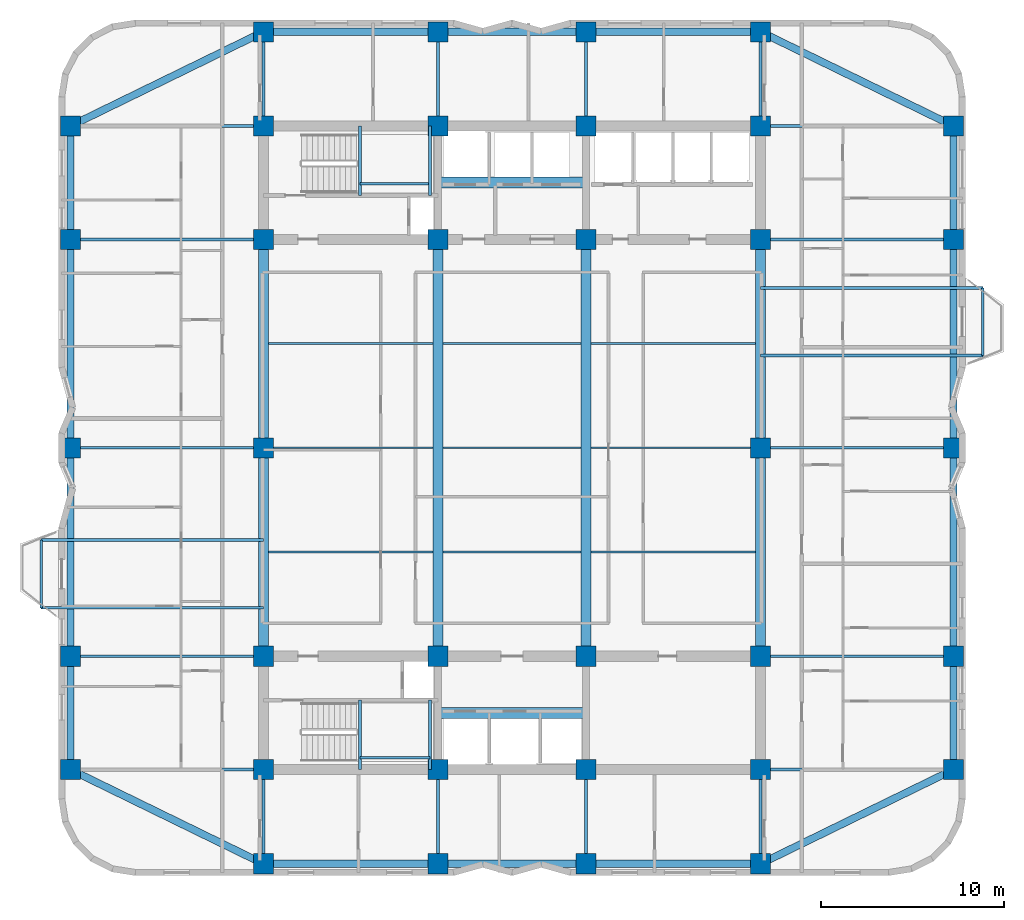
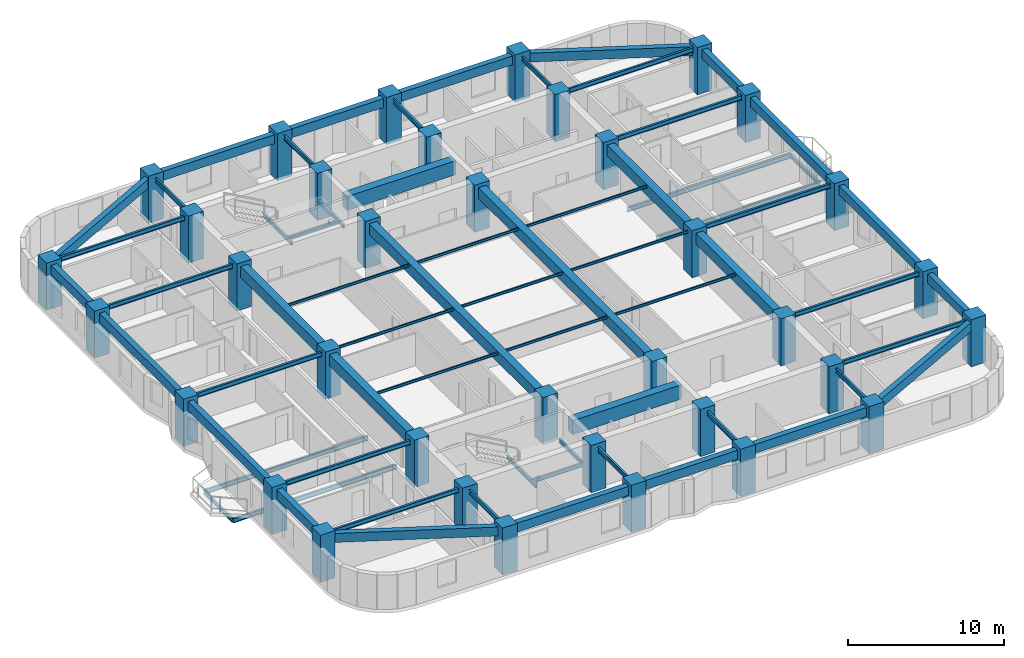
# One storey, part 1 of 9: 65 beams, 36 columns.
"""IFC4 building model written with IfcOpenShell, lengths in metres."""

from ifc_helpers import new_model, si_unit, direction, frame, origin, origin_2d, place, context, subcontext, project, spatial, rectangle, i_section, extrude, material, material_profile, profile_set, type_object, element, save


model = new_model("IFC4")

# Units and contexts
model_context = context("Model", 3, precision=1e-05, world=origin(), true_north=direction((0.0, 1.0)))
body_context = subcontext(model_context, "Body", "Model", "MODEL_VIEW")
ifc_project = project(units=[si_unit("LENGTHUNIT", "METRE"), si_unit("AREAUNIT", "SQUARE_METRE"), si_unit("VOLUMEUNIT", "CUBIC_METRE"), si_unit("PLANEANGLEUNIT", "RADIAN"), si_unit("MASSUNIT", "GRAM", prefix="KILO")], contexts=[model_context])

# Site, building, storey
site_placement = place(None, origin())
site = spatial("IfcSite", under=ifc_project, at=site_placement, CompositionType="ELEMENT")
building_placement = place(site_placement, origin())
building = spatial("IfcBuilding", under=site, at=building_placement, Name="Svetorya Sky Lyceum", CompositionType="ELEMENT")
storey_placement = place(building_placement, frame((0.0, 0.0, 92.0)))
storey = spatial("IfcBuildingStorey", under=building, at=storey_placement, Name="L22", CompositionType="ELEMENT", Elevation=92.0)

# Columns
ifc_material_1 = material(Name="Concrete C50/60", Category="concrete")
ifc_material_profile_1 = material_profile(ifc_material_1, rectangle(XDim=1.10009765625, YDim=1.10009765625, at=origin_2d()), Name="RC COL 1100x1100")
ifc_profile_set_1 = profile_set([ifc_material_profile_1], Name="Concrete C50/60")
column_type = type_object("IfcColumnType", Name="COL-RC-1100", PredefinedType="COLUMN", material=ifc_profile_set_1)
for number, where, z_axis, x_axis, name in (
    (1, (25.60009765625, 10.60009765625, 0.0), (0.0, 0.0, 1.0), (1.0, 0.0, 0.0), "L22 Core Column CS-11"),
    (2, (25.60009765625, 16.800048828125, 0.0), (0.0, 0.0, 1.0), (1.0, 0.0, 0.0), "L22 Core Column CS-12"),
    (3, (35.14990234375, 10.60009765625, 0.0), (0.0, 0.0, 1.0), (1.0, 0.0, 0.0), "L22 Core Column CS-21"),
    (4, (35.14990234375, 16.800048828125, 0.0), (0.0, 0.0, 1.0), (1.0, 0.0, 0.0), "L22 Core Column CS-22"),
    (5, (43.25, 10.60009765625, 0.0), (0.0, 0.0, 1.0), (1.0, 0.0, 0.0), "L22 Core Column CS-31"),
    (6, (43.25, 16.800048828125, 0.0), (0.0, 0.0, 1.0), (1.0, 0.0, 0.0), "L22 Core Column CS-32"),
    (7, (52.800048828125, 10.60009765625, 0.0), (0.0, 0.0, 1.0), (1.0, 0.0, 0.0), "L22 Core Column CS-41"),
    (8, (52.800048828125, 16.800048828125, 0.0), (0.0, 0.0, 1.0), (1.0, 0.0, 0.0), "L22 Core Column CS-42"),
    (9, (25.60009765625, 39.60009765625, 0.0), (0.0, 0.0, 1.0), (1.0, 0.0, 0.0), "L22 Core Column CN-11"),
    (10, (25.60009765625, 45.800048828125, 0.0), (0.0, 0.0, 1.0), (1.0, 0.0, 0.0), "L22 Core Column CN-12"),
    (11, (35.14990234375, 39.60009765625, 0.0), (0.0, 0.0, 1.0), (1.0, 0.0, 0.0), "L22 Core Column CN-21"),
    (12, (35.14990234375, 45.800048828125, 0.0), (0.0, 0.0, 1.0), (1.0, 0.0, 0.0), "L22 Core Column CN-22"),
    (13, (43.25, 39.60009765625, 0.0), (0.0, 0.0, 1.0), (1.0, 0.0, 0.0), "L22 Core Column CN-31"),
    (14, (43.25, 45.800048828125, 0.0), (0.0, 0.0, 1.0), (1.0, 0.0, 0.0), "L22 Core Column CN-32"),
    (15, (52.800048828125, 39.60009765625, 0.0), (0.0, 0.0, 1.0), (1.0, 0.0, 0.0), "L22 Core Column CN-41"),
    (16, (52.800048828125, 45.800048828125, 0.0), (0.0, 0.0, 1.0), (1.0, 0.0, 0.0), "L22 Core Column CN-42"),
    (17, (25.60009765625, 28.199951171875, 0.0), (0.0, 0.0, 1.0), (1.0, 0.0, 0.0), "L22 Core Column CM-W"),
    (18, (52.800048828125, 28.199951171875, 0.0), (0.0, 0.0, 1.0), (1.0, 0.0, 0.0), "L22 Core Column CM-E"),
    (19, (25.60009765625, 5.449951171875, 0.0), (0.0, 0.0, 1.0), (1.0, 0.0, 0.0), "L22 Perimeter Column S1"),
    (20, (25.60009765625, 50.949951171875, 0.0), (0.0, 0.0, 1.0), (1.0, 0.0, 0.0), "L22 Perimeter Column N1"),
    (21, (35.14990234375, 5.449951171875, 0.0), (0.0, 0.0, 1.0), (1.0, 0.0, 0.0), "L22 Perimeter Column S2"),
    (22, (35.14990234375, 50.949951171875, 0.0), (0.0, 0.0, 1.0), (1.0, 0.0, 0.0), "L22 Perimeter Column N2"),
    (23, (43.25, 5.449951171875, 0.0), (0.0, 0.0, 1.0), (1.0, 0.0, 0.0), "L22 Perimeter Column S3"),
    (24, (43.25, 50.949951171875, 0.0), (0.0, 0.0, 1.0), (1.0, 0.0, 0.0), "L22 Perimeter Column N3"),
    (25, (52.800048828125, 5.449951171875, 0.0), (0.0, 0.0, 1.0), (1.0, 0.0, 0.0), "L22 Perimeter Column S4"),
    (26, (52.800048828125, 50.949951171875, 0.0), (0.0, 0.0, 1.0), (1.0, 0.0, 0.0), "L22 Perimeter Column N4"),
    (27, (15.050048828125, 10.60009765625, 0.0), (0.0, 0.0, 1.0), (1.0, 0.0, 0.0), "L22 Perimeter Column W1"),
    (28, (63.35009765625, 10.60009765625, 0.0), (0.0, 0.0, 1.0), (1.0, 0.0, 0.0), "L22 Perimeter Column E1"),
    (29, (15.050048828125, 16.800048828125, 0.0), (0.0, 0.0, 1.0), (1.0, 0.0, 0.0), "L22 Perimeter Column W2"),
    (30, (63.35009765625, 16.800048828125, 0.0), (0.0, 0.0, 1.0), (1.0, 0.0, 0.0), "L22 Perimeter Column E2"),
    (31, (15.050048828125, 28.199951171875, 0.0), (0.0, 0.0, 1.0), (1.0, 0.0, 0.0), "L22 Perimeter Column W3"),
    (32, (63.35009765625, 28.199951171875, 0.0), (0.0, 0.0, 1.0), (1.0, 0.0, 0.0), "L22 Perimeter Column E3"),
    (33, (15.050048828125, 39.60009765625, 0.0), (0.0, 0.0, 1.0), (1.0, 0.0, 0.0), "L22 Perimeter Column W4"),
    (34, (63.35009765625, 39.60009765625, 0.0), (0.0, 0.0, 1.0), (1.0, 0.0, 0.0), "L22 Perimeter Column E4"),
    (35, (15.050048828125, 45.800048828125, 0.0), (0.0, 0.0, 1.0), (1.0, 0.0, 0.0), "L22 Perimeter Column W5"),
    (36, (63.35009765625, 45.800048828125, 0.0), (0.0, 0.0, 1.0), (1.0, 0.0, 0.0), "L22 Perimeter Column E5"),
):
    element("IfcColumn", number, at=place(storey_placement, frame(where, z_axis=z_axis, x_axis=x_axis)), inside=storey, type_object=column_type, Name=name, PredefinedType="COLUMN", context=body_context, shape_type="SweptSolid", body=[
        extrude(rectangle(XDim=1.10009765625, YDim=1.10009765625, at=origin_2d()), origin(), (0.0, 0.0, 1.0), 3.699951171875),
    ])

# Beams
ifc_material_2 = material(Name="Concrete C60/75", Category="concrete")
ifc_material_profile_2 = material_profile(ifc_material_2, rectangle(XDim=0.60009765625, YDim=1.10009765625, at=origin_2d()), Name="RC COUPLING 600x1100")
ifc_profile_set_2 = profile_set([ifc_material_profile_2], Name="Concrete C60/75")
beam_type_1 = type_object("IfcBeamType", Name="BM-CPL-1100", PredefinedType="LINTEL", material=ifc_profile_set_2)
for number, where, z_axis, x_axis, name in (
    (37, (35.14990234375, 13.699951171875, 2.8701171875), (1.0, 0.0, 0.0), (0.0, 1.0, 0.0), "L22 SC Core Coupling Beam"),
    (38, (35.14990234375, 42.699951171875, 2.8701171875), (1.0, 0.0, 0.0), (0.0, 1.0, 0.0), "L22 NC Core Coupling Beam"),
):
    element("IfcBeam", number, at=place(storey_placement, frame(where, z_axis=z_axis, x_axis=x_axis)), inside=storey, type_object=beam_type_1, Name=name, PredefinedType="LINTEL", context=body_context, shape_type="SweptSolid", body=[
        extrude(rectangle(XDim=0.60009765625, YDim=1.10009765625, at=origin_2d()), origin(), (0.0, 0.0, 1.0), 8.10009765625),
    ])
ifc_material_profile_3 = material_profile(ifc_material_1, rectangle(XDim=0.550048828125, YDim=0.85009765625, at=origin_2d()), Name="RC BEAM 550x850")
ifc_profile_set_3 = profile_set([ifc_material_profile_3], Name="Concrete C50/60")
beam_type_2 = type_object("IfcBeamType", Name="BM-RC-850", PredefinedType="BEAM", material=ifc_profile_set_3)
beam_1_placement = place(storey_placement, frame((25.60009765625, 16.800048828125, 2.9951171875), z_axis=(0.0, 1.0, 0.0), x_axis=(-1.0, 0.0, 0.0)))
element("IfcBeam", 39, at=beam_1_placement, inside=storey, type_object=beam_type_2, Name="L22 Central Bay Primary Girder CG-1A", PredefinedType="BEAM", context=body_context, shape_type="SweptSolid", body=[
    extrude(rectangle(XDim=0.550048828125, YDim=0.85009765625, at=origin_2d()), origin(), (0.0, 0.0, 1.0), 11.39990234375),
])
beam_2_placement = place(storey_placement, frame((25.60009765625, 28.199951171875, 2.9951171875), z_axis=(0.0, 1.0, 0.0), x_axis=(-1.0, 0.0, 0.0)))
element("IfcBeam", 40, at=beam_2_placement, inside=storey, type_object=beam_type_2, Name="L22 Central Bay Primary Girder CG-1B", PredefinedType="BEAM", context=body_context, shape_type="SweptSolid", body=[
    extrude(rectangle(XDim=0.550048828125, YDim=0.85009765625, at=origin_2d()), origin(), (0.0, 0.0, 1.0), 11.400146484375),
])
for number, where, z_axis, x_axis, name in (
    (41, (35.14990234375, 16.800048828125, 2.9951171875), (0.0, 1.0, 0.0), (-1.0, 0.0, 0.0), "L22 Central Bay Primary Girder CG-2"),
    (42, (43.25, 16.800048828125, 2.9951171875), (0.0, 1.0, 0.0), (-1.0, 0.0, 0.0), "L22 Central Bay Primary Girder CG-3"),
):
    element("IfcBeam", number, at=place(storey_placement, frame(where, z_axis=z_axis, x_axis=x_axis)), inside=storey, type_object=beam_type_2, Name=name, PredefinedType="BEAM", context=body_context, shape_type="SweptSolid", body=[
        extrude(rectangle(XDim=0.550048828125, YDim=0.85009765625, at=origin_2d()), origin(), (0.0, 0.0, 1.0), 22.800048828125),
    ])
beam_3_placement = place(storey_placement, frame((52.800048828125, 16.800048828125, 2.9951171875), z_axis=(0.0, 1.0, 0.0), x_axis=(-1.0, 0.0, 0.0)))
element("IfcBeam", 43, at=beam_3_placement, inside=storey, type_object=beam_type_2, Name="L22 Central Bay Primary Girder CG-4A", PredefinedType="BEAM", context=body_context, shape_type="SweptSolid", body=[
    extrude(rectangle(XDim=0.550048828125, YDim=0.85009765625, at=origin_2d()), origin(), (0.0, 0.0, 1.0), 11.39990234375),
])
beam_4_placement = place(storey_placement, frame((52.800048828125, 28.199951171875, 2.9951171875), z_axis=(0.0, 1.0, 0.0), x_axis=(-1.0, 0.0, 0.0)))
element("IfcBeam", 44, at=beam_4_placement, inside=storey, type_object=beam_type_2, Name="L22 Central Bay Primary Girder CG-4B", PredefinedType="BEAM", context=body_context, shape_type="SweptSolid", body=[
    extrude(rectangle(XDim=0.550048828125, YDim=0.85009765625, at=origin_2d()), origin(), (0.0, 0.0, 1.0), 11.400146484375),
])
ifc_material_profile_4 = material_profile(ifc_material_1, rectangle(XDim=0.39990234375, YDim=0.699951171875, at=origin_2d()), Name="RC SPANDREL 400x700")
ifc_profile_set_4 = profile_set([ifc_material_profile_4], Name="Concrete C50/60")
beam_type_3 = type_object("IfcBeamType", Name="BM-SPN-700", PredefinedType="SPANDREL", material=ifc_profile_set_4)
beam_5_placement = place(storey_placement, frame((25.60009765625, 5.449951171875, 3.070068359375), z_axis=(1.0, 0.0, 0.0), x_axis=(0.0, 1.0, 0.0)))
element("IfcBeam", 45, at=beam_5_placement, inside=storey, type_object=beam_type_3, Name="L22 South Spandrel 1", PredefinedType="SPANDREL", context=body_context, shape_type="SweptSolid", body=[
    extrude(rectangle(XDim=0.39990234375, YDim=0.699951171875, at=origin_2d()), origin(), (0.0, 0.0, 1.0), 9.5498046875),
])
beam_6_placement = place(storey_placement, frame((35.14990234375, 5.449951171875, 3.070068359375), z_axis=(1.0, 0.0, 0.0), x_axis=(0.0, 1.0, 0.0)))
element("IfcBeam", 46, at=beam_6_placement, inside=storey, type_object=beam_type_3, Name="L22 South Spandrel 2", PredefinedType="SPANDREL", context=body_context, shape_type="SweptSolid", body=[
    extrude(rectangle(XDim=0.39990234375, YDim=0.699951171875, at=origin_2d()), origin(), (0.0, 0.0, 1.0), 8.10009765625),
])
beam_7_placement = place(storey_placement, frame((43.25, 5.449951171875, 3.070068359375), z_axis=(1.0, 0.0, 0.0), x_axis=(0.0, 1.0, 0.0)))
element("IfcBeam", 47, at=beam_7_placement, inside=storey, type_object=beam_type_3, Name="L22 South Spandrel 3", PredefinedType="SPANDREL", context=body_context, shape_type="SweptSolid", body=[
    extrude(rectangle(XDim=0.39990234375, YDim=0.699951171875, at=origin_2d()), origin(), (0.0, 0.0, 1.0), 9.550048828125),
])
beam_8_placement = place(storey_placement, frame((25.60009765625, 50.949951171875, 3.070068359375), z_axis=(1.0, 0.0, 0.0), x_axis=(0.0, 1.0, 0.0)))
element("IfcBeam", 48, at=beam_8_placement, inside=storey, type_object=beam_type_3, Name="L22 North Spandrel 1", PredefinedType="SPANDREL", context=body_context, shape_type="SweptSolid", body=[
    extrude(rectangle(XDim=0.39990234375, YDim=0.699951171875, at=origin_2d()), origin(), (0.0, 0.0, 1.0), 9.5498046875),
])
beam_9_placement = place(storey_placement, frame((35.14990234375, 50.949951171875, 3.070068359375), z_axis=(1.0, 0.0, 0.0), x_axis=(0.0, 1.0, 0.0)))
element("IfcBeam", 49, at=beam_9_placement, inside=storey, type_object=beam_type_3, Name="L22 North Spandrel 2", PredefinedType="SPANDREL", context=body_context, shape_type="SweptSolid", body=[
    extrude(rectangle(XDim=0.39990234375, YDim=0.699951171875, at=origin_2d()), origin(), (0.0, 0.0, 1.0), 8.10009765625),
])
beam_10_placement = place(storey_placement, frame((43.25, 50.949951171875, 3.070068359375), z_axis=(1.0, 0.0, 0.0), x_axis=(0.0, 1.0, 0.0)))
element("IfcBeam", 50, at=beam_10_placement, inside=storey, type_object=beam_type_3, Name="L22 North Spandrel 3", PredefinedType="SPANDREL", context=body_context, shape_type="SweptSolid", body=[
    extrude(rectangle(XDim=0.39990234375, YDim=0.699951171875, at=origin_2d()), origin(), (0.0, 0.0, 1.0), 9.550048828125),
])
for number, where, z_axis, x_axis, name in (
    (51, (25.60009765625, 5.449951171875, 3.070068359375), (-0.898641495694, 0.438683783854, 0.0), (-0.438683783854, -0.898641495694, 0.0), "L22 Corner Spandrel 1"),
    (52, (52.800048828125, 5.449951171875, 3.070068359375), (0.898641495694, 0.438683783854, 0.0), (-0.438683783854, 0.898641495694, 0.0), "L22 Corner Spandrel 2"),
    (53, (63.35009765625, 45.800048828125, 3.070068359375), (-0.898649693653, 0.438666989978, 0.0), (-0.438666989978, -0.898649693653, 0.0), "L22 Corner Spandrel 3"),
    (54, (15.050048828125, 45.800048828125, 3.070068359375), (0.898649693653, 0.438666989978, 0.0), (-0.438666989978, 0.898649693653, 0.0), "L22 Corner Spandrel 4"),
):
    element("IfcBeam", number, at=place(storey_placement, frame(where, z_axis=z_axis, x_axis=x_axis)), inside=storey, type_object=beam_type_3, Name=name, PredefinedType="SPANDREL", context=body_context, shape_type="SweptSolid", body=[
        extrude(rectangle(XDim=0.39990234375, YDim=0.699951171875, at=origin_2d()), origin(), (0.0, 0.0, 1.0), 11.739990234375),
    ])
beam_11_placement = place(storey_placement, frame((15.050048828125, 10.60009765625, 3.070068359375), z_axis=(0.0, 1.0, 0.0), x_axis=(-1.0, 0.0, 0.0)))
element("IfcBeam", 55, at=beam_11_placement, inside=storey, type_object=beam_type_3, Name="L22 West Spandrel 1", PredefinedType="SPANDREL", context=body_context, shape_type="SweptSolid", body=[
    extrude(rectangle(XDim=0.39990234375, YDim=0.699951171875, at=origin_2d()), origin(), (0.0, 0.0, 1.0), 6.199951171875),
])
beam_12_placement = place(storey_placement, frame((15.050048828125, 16.800048828125, 3.070068359375), z_axis=(0.0, 1.0, 0.0), x_axis=(-1.0, 0.0, 0.0)))
element("IfcBeam", 56, at=beam_12_placement, inside=storey, type_object=beam_type_3, Name="L22 West Spandrel 2", PredefinedType="SPANDREL", context=body_context, shape_type="SweptSolid", body=[
    extrude(rectangle(XDim=0.39990234375, YDim=0.699951171875, at=origin_2d()), origin(), (0.0, 0.0, 1.0), 11.39990234375),
])
beam_13_placement = place(storey_placement, frame((15.050048828125, 28.199951171875, 3.070068359375), z_axis=(0.0, 1.0, 0.0), x_axis=(-1.0, 0.0, 0.0)))
element("IfcBeam", 57, at=beam_13_placement, inside=storey, type_object=beam_type_3, Name="L22 West Spandrel 3", PredefinedType="SPANDREL", context=body_context, shape_type="SweptSolid", body=[
    extrude(rectangle(XDim=0.39990234375, YDim=0.699951171875, at=origin_2d()), origin(), (0.0, 0.0, 1.0), 11.400146484375),
])
for number, where, z_axis, x_axis, name in (
    (58, (15.050048828125, 39.60009765625, 3.070068359375), (0.0, 1.0, 0.0), (-1.0, 0.0, 0.0), "L22 West Spandrel 4"),
    (59, (63.35009765625, 10.60009765625, 3.070068359375), (0.0, 1.0, 0.0), (-1.0, 0.0, 0.0), "L22 East Spandrel 1"),
):
    element("IfcBeam", number, at=place(storey_placement, frame(where, z_axis=z_axis, x_axis=x_axis)), inside=storey, type_object=beam_type_3, Name=name, PredefinedType="SPANDREL", context=body_context, shape_type="SweptSolid", body=[
        extrude(rectangle(XDim=0.39990234375, YDim=0.699951171875, at=origin_2d()), origin(), (0.0, 0.0, 1.0), 6.199951171875),
    ])
beam_14_placement = place(storey_placement, frame((63.35009765625, 16.800048828125, 3.070068359375), z_axis=(0.0, 1.0, 0.0), x_axis=(-1.0, 0.0, 0.0)))
element("IfcBeam", 60, at=beam_14_placement, inside=storey, type_object=beam_type_3, Name="L22 East Spandrel 2", PredefinedType="SPANDREL", context=body_context, shape_type="SweptSolid", body=[
    extrude(rectangle(XDim=0.39990234375, YDim=0.699951171875, at=origin_2d()), origin(), (0.0, 0.0, 1.0), 11.39990234375),
])
beam_15_placement = place(storey_placement, frame((63.35009765625, 28.199951171875, 3.070068359375), z_axis=(0.0, 1.0, 0.0), x_axis=(-1.0, 0.0, 0.0)))
element("IfcBeam", 61, at=beam_15_placement, inside=storey, type_object=beam_type_3, Name="L22 East Spandrel 3", PredefinedType="SPANDREL", context=body_context, shape_type="SweptSolid", body=[
    extrude(rectangle(XDim=0.39990234375, YDim=0.699951171875, at=origin_2d()), origin(), (0.0, 0.0, 1.0), 11.400146484375),
])
beam_16_placement = place(storey_placement, frame((63.35009765625, 39.60009765625, 3.070068359375), z_axis=(0.0, 1.0, 0.0), x_axis=(-1.0, 0.0, 0.0)))
element("IfcBeam", 62, at=beam_16_placement, inside=storey, type_object=beam_type_3, Name="L22 East Spandrel 4", PredefinedType="SPANDREL", context=body_context, shape_type="SweptSolid", body=[
    extrude(rectangle(XDim=0.39990234375, YDim=0.699951171875, at=origin_2d()), origin(), (0.0, 0.0, 1.0), 6.199951171875),
])
ifc_material_3 = material(Name="Steel S355", Category="steel")
ifc_material_profile_5 = material_profile(ifc_material_3, i_section(OverallWidth=0.10009765625, OverallDepth=0.199951171875, WebThickness=0.005615234375, FlangeThickness=0.008544921875, at=origin_2d()), Name="GOST 20B1")
ifc_profile_set_5 = profile_set([ifc_material_profile_5], Name="Steel S355")
beam_type_4 = type_object("IfcBeamType", Name="BM-STL-20B1", PredefinedType="JOIST", material=ifc_profile_set_5)
beam_17_placement = place(storey_placement, frame((25.875, 22.5, 3.320068359375), z_axis=(1.0, 0.0, 0.0), x_axis=(0.0, 1.0, 0.0)))
element("IfcBeam", 63, at=beam_17_placement, inside=storey, type_object=beam_type_4, Name="L22 Central Floor Joist CJ-1.1", PredefinedType="JOIST", context=body_context, shape_type="SweptSolid", body=[
    extrude(i_section(OverallWidth=0.10009765625, OverallDepth=0.199951171875, WebThickness=0.005615234375, FlangeThickness=0.008544921875, at=origin_2d()), origin(), (0.0, 0.0, 1.0), 9.0),
])
beam_18_placement = place(storey_placement, frame((35.425048828125, 22.5, 3.320068359375), z_axis=(1.0, 0.0, 0.0), x_axis=(0.0, 1.0, 0.0)))
element("IfcBeam", 64, at=beam_18_placement, inside=storey, type_object=beam_type_4, Name="L22 Central Floor Joist CJ-1.2", PredefinedType="JOIST", context=body_context, shape_type="SweptSolid", body=[
    extrude(i_section(OverallWidth=0.10009765625, OverallDepth=0.199951171875, WebThickness=0.005615234375, FlangeThickness=0.008544921875, at=origin_2d()), origin(), (0.0, 0.0, 1.0), 7.550048828125),
])
for number, where, z_axis, x_axis, name in (
    (65, (43.52490234375, 22.5, 3.320068359375), (1.0, 0.0, 0.0), (0.0, 1.0, 0.0), "L22 Central Floor Joist CJ-1.3"),
    (66, (25.875, 28.199951171875, 3.320068359375), (1.0, 0.0, 0.0), (0.0, 1.0, 0.0), "L22 Central Floor Joist CJ-2.1"),
):
    element("IfcBeam", number, at=place(storey_placement, frame(where, z_axis=z_axis, x_axis=x_axis)), inside=storey, type_object=beam_type_4, Name=name, PredefinedType="JOIST", context=body_context, shape_type="SweptSolid", body=[
        extrude(i_section(OverallWidth=0.10009765625, OverallDepth=0.199951171875, WebThickness=0.005615234375, FlangeThickness=0.008544921875, at=origin_2d()), origin(), (0.0, 0.0, 1.0), 9.0),
    ])
beam_19_placement = place(storey_placement, frame((35.425048828125, 28.199951171875, 3.320068359375), z_axis=(1.0, 0.0, 0.0), x_axis=(0.0, 1.0, 0.0)))
element("IfcBeam", 67, at=beam_19_placement, inside=storey, type_object=beam_type_4, Name="L22 Central Floor Joist CJ-2.2", PredefinedType="JOIST", context=body_context, shape_type="SweptSolid", body=[
    extrude(i_section(OverallWidth=0.10009765625, OverallDepth=0.199951171875, WebThickness=0.005615234375, FlangeThickness=0.008544921875, at=origin_2d()), origin(), (0.0, 0.0, 1.0), 7.550048828125),
])
for number, where, z_axis, x_axis, name in (
    (68, (43.52490234375, 28.199951171875, 3.320068359375), (1.0, 0.0, 0.0), (0.0, 1.0, 0.0), "L22 Central Floor Joist CJ-2.3"),
    (69, (25.875, 33.89990234375, 3.320068359375), (1.0, 0.0, 0.0), (0.0, 1.0, 0.0), "L22 Central Floor Joist CJ-3.1"),
):
    element("IfcBeam", number, at=place(storey_placement, frame(where, z_axis=z_axis, x_axis=x_axis)), inside=storey, type_object=beam_type_4, Name=name, PredefinedType="JOIST", context=body_context, shape_type="SweptSolid", body=[
        extrude(i_section(OverallWidth=0.10009765625, OverallDepth=0.199951171875, WebThickness=0.005615234375, FlangeThickness=0.008544921875, at=origin_2d()), origin(), (0.0, 0.0, 1.0), 9.0),
    ])
beam_20_placement = place(storey_placement, frame((35.425048828125, 33.89990234375, 3.320068359375), z_axis=(1.0, 0.0, 0.0), x_axis=(0.0, 1.0, 0.0)))
element("IfcBeam", 70, at=beam_20_placement, inside=storey, type_object=beam_type_4, Name="L22 Central Floor Joist CJ-3.2", PredefinedType="JOIST", context=body_context, shape_type="SweptSolid", body=[
    extrude(i_section(OverallWidth=0.10009765625, OverallDepth=0.199951171875, WebThickness=0.005615234375, FlangeThickness=0.008544921875, at=origin_2d()), origin(), (0.0, 0.0, 1.0), 7.550048828125),
])
beam_21_placement = place(storey_placement, frame((43.52490234375, 33.89990234375, 3.320068359375), z_axis=(1.0, 0.0, 0.0), x_axis=(0.0, 1.0, 0.0)))
element("IfcBeam", 71, at=beam_21_placement, inside=storey, type_object=beam_type_4, Name="L22 Central Floor Joist CJ-3.3", PredefinedType="JOIST", context=body_context, shape_type="SweptSolid", body=[
    extrude(i_section(OverallWidth=0.10009765625, OverallDepth=0.199951171875, WebThickness=0.005615234375, FlangeThickness=0.008544921875, at=origin_2d()), origin(), (0.0, 0.0, 1.0), 9.0),
])
ifc_material_profile_6 = material_profile(ifc_material_3, i_section(OverallWidth=0.14990234375, OverallDepth=0.299072265625, WebThickness=0.006591796875, FlangeThickness=0.010498046875, at=origin_2d()), Name="GOST 30B2")
ifc_profile_set_6 = profile_set([ifc_material_profile_6], Name="Steel S355")
beam_type_5 = type_object("IfcBeamType", Name="BM-STL-30B2", PredefinedType="JOIST", material=ifc_profile_set_6)
for number, where, z_axis, x_axis, name in (
    (72, (13.449951171875, 19.449951171875, -0.45458984375), (0.0, 1.0, 0.0), (-1.0, 0.0, 0.0), "L22 Balcony Edge Tie BAL-W1"),
    (73, (64.949951171875, 33.25, -0.45458984375), (0.0, 1.0, 0.0), (-1.0, 0.0, 0.0), "L22 Balcony Edge Tie BAL-E1"),
):
    element("IfcBeam", number, at=place(storey_placement, frame(where, z_axis=z_axis, x_axis=x_axis)), inside=storey, type_object=beam_type_5, Name=name, PredefinedType="JOIST", context=body_context, shape_type="SweptSolid", body=[
        extrude(i_section(OverallWidth=0.14990234375, OverallDepth=0.299072265625, WebThickness=0.006591796875, FlangeThickness=0.010498046875, at=origin_2d()), origin(), (0.0, 0.0, 1.0), 3.699951171875),
    ])
for number, where, z_axis, x_axis, name in (
    (74, (30.8798828125, 10.60009765625, 1.50048828125), (0.0, 1.0, 0.0), (-1.0, 0.0, 0.0), "L22 Stair ST-S Half-Landing Support Beam 26.1"),
    (75, (34.719970703125, 10.60009765625, 1.50048828125), (0.0, 1.0, 0.0), (-1.0, 0.0, 0.0), "L22 Stair ST-S Half-Landing Support Beam 26.2"),
):
    element("IfcBeam", number, at=place(storey_placement, frame(where, z_axis=z_axis, x_axis=x_axis)), inside=storey, type_object=beam_type_5, Name=name, PredefinedType="JOIST", context=body_context, shape_type="SweptSolid", body=[
        extrude(i_section(OverallWidth=0.14990234375, OverallDepth=0.299072265625, WebThickness=0.006591796875, FlangeThickness=0.010498046875, at=origin_2d()), origin(), (0.0, 0.0, 1.0), 3.7998046875),
    ])
beam_22_placement = place(storey_placement, frame((30.8798828125, 11.25, 1.50048828125), z_axis=(1.0, 0.0, 0.0), x_axis=(0.0, 1.0, 0.0)))
element("IfcBeam", 76, at=beam_22_placement, inside=storey, type_object=beam_type_5, Name="L22 Stair ST-S Half-Landing Cross Tie 26", PredefinedType="JOIST", context=body_context, shape_type="SweptSolid", body=[
    extrude(i_section(OverallWidth=0.14990234375, OverallDepth=0.299072265625, WebThickness=0.006591796875, FlangeThickness=0.010498046875, at=origin_2d()), origin(), (0.0, 0.0, 1.0), 3.840087890625),
])
for number, where, z_axis, x_axis, name in (
    (77, (30.8798828125, 42.0, 1.50048828125), (0.0, 1.0, 0.0), (-1.0, 0.0, 0.0), "L22 Stair ST-N Half-Landing Support Beam 26.1"),
    (78, (34.719970703125, 42.0, 1.50048828125), (0.0, 1.0, 0.0), (-1.0, 0.0, 0.0), "L22 Stair ST-N Half-Landing Support Beam 26.2"),
):
    element("IfcBeam", number, at=place(storey_placement, frame(where, z_axis=z_axis, x_axis=x_axis)), inside=storey, type_object=beam_type_5, Name=name, PredefinedType="JOIST", context=body_context, shape_type="SweptSolid", body=[
        extrude(i_section(OverallWidth=0.14990234375, OverallDepth=0.299072265625, WebThickness=0.006591796875, FlangeThickness=0.010498046875, at=origin_2d()), origin(), (0.0, 0.0, 1.0), 3.800048828125),
    ])
beam_23_placement = place(storey_placement, frame((30.8798828125, 42.64990234375, 1.50048828125), z_axis=(1.0, 0.0, 0.0), x_axis=(0.0, 1.0, 0.0)))
element("IfcBeam", 79, at=beam_23_placement, inside=storey, type_object=beam_type_5, Name="L22 Stair ST-N Half-Landing Cross Tie 26", PredefinedType="JOIST", context=body_context, shape_type="SweptSolid", body=[
    extrude(i_section(OverallWidth=0.14990234375, OverallDepth=0.299072265625, WebThickness=0.006591796875, FlangeThickness=0.010498046875, at=origin_2d()), origin(), (0.0, 0.0, 1.0), 3.840087890625),
])
ifc_material_profile_7 = material_profile(ifc_material_3, i_section(OverallWidth=0.155029296875, OverallDepth=0.34912109375, WebThickness=0.007080078125, FlangeThickness=0.011474609375, at=origin_2d()), Name="GOST 35B2")
ifc_profile_set_7 = profile_set([ifc_material_profile_7], Name="Steel S355")
beam_type_6 = type_object("IfcBeamType", Name="BM-STL-35B2", PredefinedType="JOIST", material=ifc_profile_set_7)
for number, where, z_axis, x_axis, name in (
    (80, (25.60009765625, 19.449951171875, -0.45458984375), (-1.0, 0.0, 0.0), (0.0, -1.0, 0.0), "L22 Balcony Cantilever Beam BAL-W1-1"),
    (81, (25.60009765625, 23.14990234375, -0.45458984375), (-1.0, 0.0, 0.0), (0.0, -1.0, 0.0), "L22 Balcony Cantilever Beam BAL-W1-2"),
):
    element("IfcBeam", number, at=place(storey_placement, frame(where, z_axis=z_axis, x_axis=x_axis)), inside=storey, type_object=beam_type_6, Name=name, PredefinedType="JOIST", context=body_context, shape_type="SweptSolid", body=[
        extrude(i_section(OverallWidth=0.155029296875, OverallDepth=0.34912109375, WebThickness=0.007080078125, FlangeThickness=0.011474609375, at=origin_2d()), origin(), (0.0, 0.0, 1.0), 12.150146484375),
    ])
for number, where, z_axis, x_axis, name in (
    (82, (52.800048828125, 33.25, -0.45458984375), (1.0, 0.0, 0.0), (0.0, 1.0, 0.0), "L22 Balcony Cantilever Beam BAL-E1-1"),
    (83, (52.800048828125, 36.949951171875, -0.45458984375), (1.0, 0.0, 0.0), (0.0, 1.0, 0.0), "L22 Balcony Cantilever Beam BAL-E1-2"),
):
    element("IfcBeam", number, at=place(storey_placement, frame(where, z_axis=z_axis, x_axis=x_axis)), inside=storey, type_object=beam_type_6, Name=name, PredefinedType="JOIST", context=body_context, shape_type="SweptSolid", body=[
        extrude(i_section(OverallWidth=0.155029296875, OverallDepth=0.34912109375, WebThickness=0.007080078125, FlangeThickness=0.011474609375, at=origin_2d()), origin(), (0.0, 0.0, 1.0), 12.14990234375),
    ])
for number, where, z_axis, x_axis, name in (
    (84, (15.050048828125, 10.60009765625, 3.24560546875), (1.0, 0.0, 0.0), (0.0, 1.0, 0.0), "L22 West Wing Floor Joist W1"),
    (85, (52.800048828125, 10.60009765625, 3.24560546875), (1.0, 0.0, 0.0), (0.0, 1.0, 0.0), "L22 East Wing Floor Joist E1"),
    (86, (15.050048828125, 16.800048828125, 3.24560546875), (1.0, 0.0, 0.0), (0.0, 1.0, 0.0), "L22 West Wing Floor Joist W2"),
    (87, (52.800048828125, 16.800048828125, 3.24560546875), (1.0, 0.0, 0.0), (0.0, 1.0, 0.0), "L22 East Wing Floor Joist E2"),
    (88, (15.050048828125, 28.199951171875, 3.24560546875), (1.0, 0.0, 0.0), (0.0, 1.0, 0.0), "L22 West Wing Floor Joist W3"),
    (89, (52.800048828125, 28.199951171875, 3.24560546875), (1.0, 0.0, 0.0), (0.0, 1.0, 0.0), "L22 East Wing Floor Joist E3"),
    (90, (15.050048828125, 39.60009765625, 3.24560546875), (1.0, 0.0, 0.0), (0.0, 1.0, 0.0), "L22 West Wing Floor Joist W4"),
    (91, (52.800048828125, 39.60009765625, 3.24560546875), (1.0, 0.0, 0.0), (0.0, 1.0, 0.0), "L22 East Wing Floor Joist E4"),
    (92, (15.050048828125, 45.800048828125, 3.24560546875), (1.0, 0.0, 0.0), (0.0, 1.0, 0.0), "L22 West Wing Floor Joist W5"),
    (93, (52.800048828125, 45.800048828125, 3.24560546875), (1.0, 0.0, 0.0), (0.0, 1.0, 0.0), "L22 East Wing Floor Joist E5"),
):
    element("IfcBeam", number, at=place(storey_placement, frame(where, z_axis=z_axis, x_axis=x_axis)), inside=storey, type_object=beam_type_6, Name=name, PredefinedType="JOIST", context=body_context, shape_type="SweptSolid", body=[
        extrude(i_section(OverallWidth=0.155029296875, OverallDepth=0.34912109375, WebThickness=0.007080078125, FlangeThickness=0.011474609375, at=origin_2d()), origin(), (0.0, 0.0, 1.0), 10.550048828125),
    ])
beam_24_placement = place(storey_placement, frame((25.60009765625, 5.449951171875, 3.24560546875), z_axis=(0.0, 1.0, 0.0), x_axis=(-1.0, 0.0, 0.0)))
element("IfcBeam", 94, at=beam_24_placement, inside=storey, type_object=beam_type_6, Name="L22 South Bay Floor Girder S1", PredefinedType="JOIST", context=body_context, shape_type="SweptSolid", body=[
    extrude(i_section(OverallWidth=0.155029296875, OverallDepth=0.34912109375, WebThickness=0.007080078125, FlangeThickness=0.011474609375, at=origin_2d()), origin(), (0.0, 0.0, 1.0), 5.150146484375),
])
beam_25_placement = place(storey_placement, frame((25.60009765625, 45.800048828125, 3.24560546875), z_axis=(0.0, 1.0, 0.0), x_axis=(-1.0, 0.0, 0.0)))
element("IfcBeam", 95, at=beam_25_placement, inside=storey, type_object=beam_type_6, Name="L22 North Bay Floor Girder N1", PredefinedType="JOIST", context=body_context, shape_type="SweptSolid", body=[
    extrude(i_section(OverallWidth=0.155029296875, OverallDepth=0.34912109375, WebThickness=0.007080078125, FlangeThickness=0.011474609375, at=origin_2d()), origin(), (0.0, 0.0, 1.0), 5.14990234375),
])
beam_26_placement = place(storey_placement, frame((35.14990234375, 5.449951171875, 3.24560546875), z_axis=(0.0, 1.0, 0.0), x_axis=(-1.0, 0.0, 0.0)))
element("IfcBeam", 96, at=beam_26_placement, inside=storey, type_object=beam_type_6, Name="L22 South Bay Floor Girder S2", PredefinedType="JOIST", context=body_context, shape_type="SweptSolid", body=[
    extrude(i_section(OverallWidth=0.155029296875, OverallDepth=0.34912109375, WebThickness=0.007080078125, FlangeThickness=0.011474609375, at=origin_2d()), origin(), (0.0, 0.0, 1.0), 5.150146484375),
])
beam_27_placement = place(storey_placement, frame((35.14990234375, 45.800048828125, 3.24560546875), z_axis=(0.0, 1.0, 0.0), x_axis=(-1.0, 0.0, 0.0)))
element("IfcBeam", 97, at=beam_27_placement, inside=storey, type_object=beam_type_6, Name="L22 North Bay Floor Girder N2", PredefinedType="JOIST", context=body_context, shape_type="SweptSolid", body=[
    extrude(i_section(OverallWidth=0.155029296875, OverallDepth=0.34912109375, WebThickness=0.007080078125, FlangeThickness=0.011474609375, at=origin_2d()), origin(), (0.0, 0.0, 1.0), 5.14990234375),
])
beam_28_placement = place(storey_placement, frame((43.25, 5.449951171875, 3.24560546875), z_axis=(0.0, 1.0, 0.0), x_axis=(-1.0, 0.0, 0.0)))
element("IfcBeam", 98, at=beam_28_placement, inside=storey, type_object=beam_type_6, Name="L22 South Bay Floor Girder S3", PredefinedType="JOIST", context=body_context, shape_type="SweptSolid", body=[
    extrude(i_section(OverallWidth=0.155029296875, OverallDepth=0.34912109375, WebThickness=0.007080078125, FlangeThickness=0.011474609375, at=origin_2d()), origin(), (0.0, 0.0, 1.0), 5.150146484375),
])
beam_29_placement = place(storey_placement, frame((43.25, 45.800048828125, 3.24560546875), z_axis=(0.0, 1.0, 0.0), x_axis=(-1.0, 0.0, 0.0)))
element("IfcBeam", 99, at=beam_29_placement, inside=storey, type_object=beam_type_6, Name="L22 North Bay Floor Girder N3", PredefinedType="JOIST", context=body_context, shape_type="SweptSolid", body=[
    extrude(i_section(OverallWidth=0.155029296875, OverallDepth=0.34912109375, WebThickness=0.007080078125, FlangeThickness=0.011474609375, at=origin_2d()), origin(), (0.0, 0.0, 1.0), 5.14990234375),
])
beam_30_placement = place(storey_placement, frame((52.800048828125, 5.449951171875, 3.24560546875), z_axis=(0.0, 1.0, 0.0), x_axis=(-1.0, 0.0, 0.0)))
element("IfcBeam", 100, at=beam_30_placement, inside=storey, type_object=beam_type_6, Name="L22 South Bay Floor Girder S4", PredefinedType="JOIST", context=body_context, shape_type="SweptSolid", body=[
    extrude(i_section(OverallWidth=0.155029296875, OverallDepth=0.34912109375, WebThickness=0.007080078125, FlangeThickness=0.011474609375, at=origin_2d()), origin(), (0.0, 0.0, 1.0), 5.150146484375),
])
beam_31_placement = place(storey_placement, frame((52.800048828125, 45.800048828125, 3.24560546875), z_axis=(0.0, 1.0, 0.0), x_axis=(-1.0, 0.0, 0.0)))
element("IfcBeam", 101, at=beam_31_placement, inside=storey, type_object=beam_type_6, Name="L22 North Bay Floor Girder N4", PredefinedType="JOIST", context=body_context, shape_type="SweptSolid", body=[
    extrude(i_section(OverallWidth=0.155029296875, OverallDepth=0.34912109375, WebThickness=0.007080078125, FlangeThickness=0.011474609375, at=origin_2d()), origin(), (0.0, 0.0, 1.0), 5.14990234375),
])

save(model, "model.ifc")
